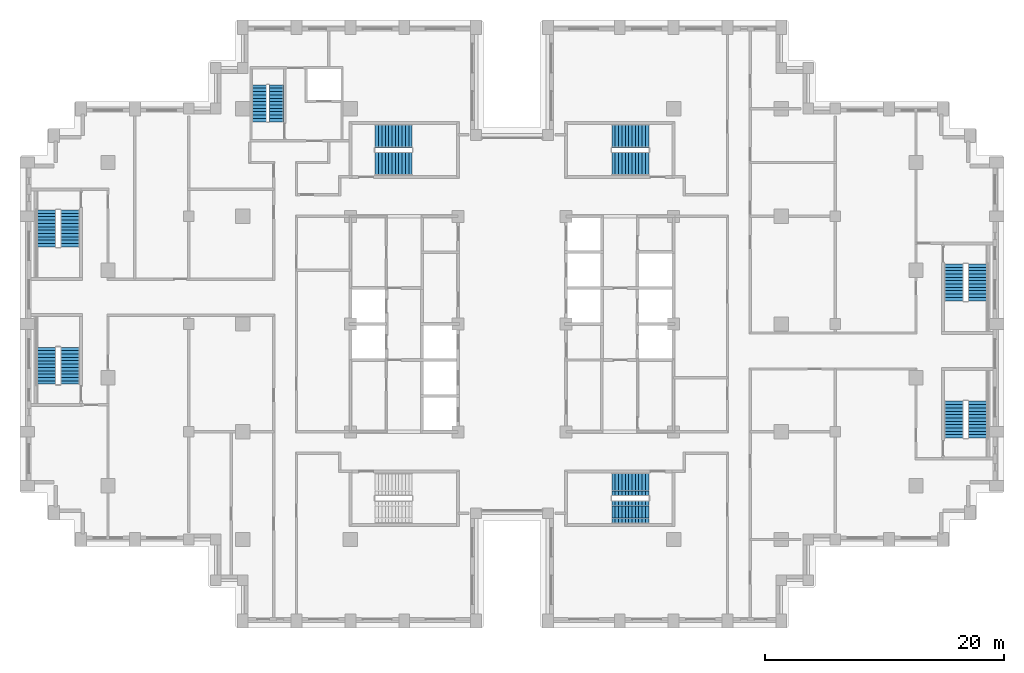
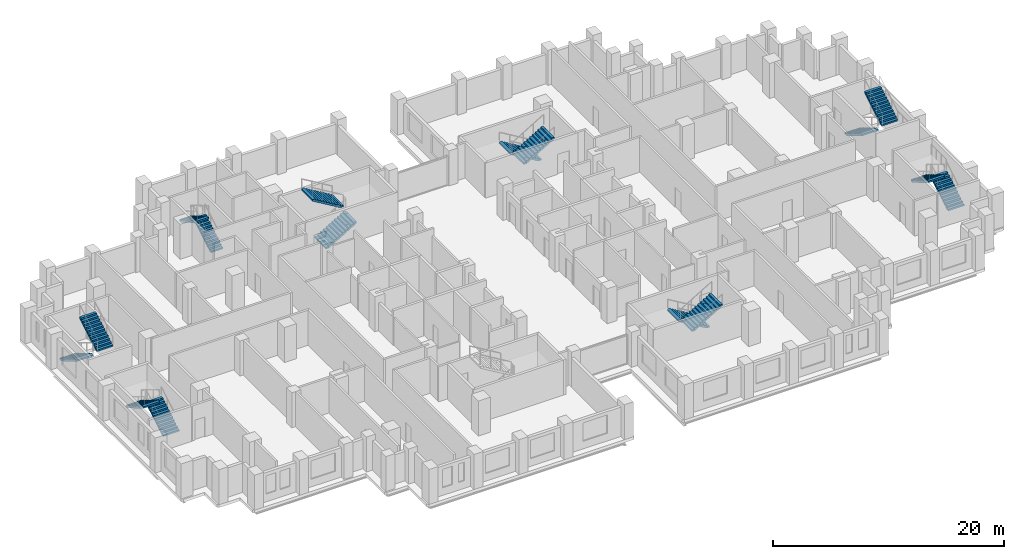
# One storey, part 13 of 15: 16 stair flights, 8 elements without a shape of their own.
"""IFC4 building model written with IfcOpenShell, lengths in metres."""

from ifc_helpers import new_model, si_unit, direction, frame, origin, place, context, subcontext, project, spatial, polyline, outline, extrude, material, type_object, element, aggregate, save


model = new_model("IFC4")

# Units and contexts
model_context = context("Model", 3, precision=1e-05, world=origin(), true_north=direction((0.0, 1.0)))
body_context = subcontext(model_context, "Body", "Model", "MODEL_VIEW")
ifc_project = project(units=[si_unit("LENGTHUNIT", "METRE"), si_unit("AREAUNIT", "SQUARE_METRE"), si_unit("VOLUMEUNIT", "CUBIC_METRE"), si_unit("PLANEANGLEUNIT", "RADIAN"), si_unit("MASSUNIT", "GRAM", prefix="KILO")], contexts=[model_context])

# Site, building, storey
site_placement = place(None, origin())
site = spatial("IfcSite", under=ifc_project, at=site_placement, CompositionType="ELEMENT")
building_placement = place(site_placement, origin())
building = spatial("IfcBuilding", under=site, at=building_placement, Name="Corbelhall Arena Tower", CompositionType="ELEMENT")
storey_placement = place(building_placement, frame((0.0, 0.0, 92.0)))
storey = spatial("IfcBuildingStorey", under=building, at=storey_placement, Name="L15", CompositionType="ELEMENT", Elevation=92.0)

# Stair, stair flights
ifc_material = material(Name="Concrete C40/50", Category="concrete")
stair_type = type_object("IfcStairType", Name="IN-ST-TOWER", PredefinedType="HALF_TURN_STAIR", material=ifc_material)
stair_1_placement = place(storey_placement, origin())
stair_1 = element("IfcStair", 1, at=stair_1_placement, inside=storey, type_object=stair_type, Name="L15 Exit stair ST1", PredefinedType="HALF_TURN_STAIR")
stair_flight_type = type_object("IfcStairFlightType", Name="IN-SFL-RC", PredefinedType="STRAIGHT", material=ifc_material)
stair_flight_1_placement = place(storey_placement, frame((-11.425048828125, 13.39990234375, 0.0), z_axis=(0.0, 0.0, 1.0), x_axis=(1.0, 0.0, 0.0)))
stair_flight_1 = element("IfcStairFlight", 2, at=stair_flight_1_placement, type_object=stair_flight_type, Name="ST1 flight 1", NumberOfRisers=12, NumberOfTreads=11, PredefinedType="STRAIGHT", RiserHeight=0.166666667, TreadLength=0.28, context=body_context, shape_type="SweptSolid", body=[
    extrude(outline(polyline([(0.0, 0.0), (0.0, 0.166748046875), (0.280029296875, 0.166748046875), (0.280029296875, 0.333251953125), (0.56005859375, 0.333251953125), (0.56005859375, 0.5), (0.840087890625, 0.5), (0.840087890625, 0.666748046875), (1.1201171875, 0.666748046875), (1.1201171875, 0.833251953125), (1.39990234375, 0.833251953125), (1.39990234375, 1.0), (1.679931640625, 1.0), (1.679931640625, 1.166748046875), (1.9599609375, 1.166748046875), (1.9599609375, 1.333251953125), (2.239990234375, 1.333251953125), (2.239990234375, 1.5), (2.52001953125, 1.5), (2.52001953125, 1.666748046875), (2.800048828125, 1.666748046875), (2.800048828125, 1.833251953125), (3.080078125, 1.833251953125), (3.080078125, 2.0), (3.080078125, 1.658935546875), (0.29296875, 0.0), (0.0, 0.0)])), frame((0.0, 0.97509765625, 0.0), z_axis=(0.0, -1.0, 0.0), x_axis=(1.0, 0.0, 0.0)), (0.0, 0.0, 1.0), 0.449951171875),
    extrude(outline(polyline([(0.0, 0.0), (0.0, 0.166748046875), (0.280029296875, 0.166748046875), (0.280029296875, 0.333251953125), (0.56005859375, 0.333251953125), (0.56005859375, 0.5), (0.840087890625, 0.5), (0.840087890625, 0.666748046875), (1.1201171875, 0.666748046875), (1.1201171875, 0.833251953125), (1.39990234375, 0.833251953125), (1.39990234375, 1.0), (1.679931640625, 1.0), (1.679931640625, 1.166748046875), (1.9599609375, 1.166748046875), (1.9599609375, 1.333251953125), (2.239990234375, 1.333251953125), (2.239990234375, 1.5), (2.52001953125, 1.5), (2.52001953125, 1.666748046875), (2.800048828125, 1.666748046875), (2.800048828125, 1.833251953125), (3.080078125, 1.833251953125), (3.080078125, 2.0), (3.080078125, 1.658935546875), (0.29296875, 0.0), (0.0, 0.0)])), frame((0.0, 0.52099609375, 0.0), z_axis=(0.0, -1.0, 0.0), x_axis=(1.0, 0.0, 0.0)), (0.0, 0.0, 1.0), 1.0419921875),
    extrude(outline(polyline([(0.0, 0.0), (0.0, 0.166748046875), (0.280029296875, 0.166748046875), (0.280029296875, 0.333251953125), (0.56005859375, 0.333251953125), (0.56005859375, 0.5), (0.840087890625, 0.5), (0.840087890625, 0.666748046875), (1.1201171875, 0.666748046875), (1.1201171875, 0.833251953125), (1.39990234375, 0.833251953125), (1.39990234375, 1.0), (1.679931640625, 1.0), (1.679931640625, 1.166748046875), (1.9599609375, 1.166748046875), (1.9599609375, 1.333251953125), (2.239990234375, 1.333251953125), (2.239990234375, 1.5), (2.52001953125, 1.5), (2.52001953125, 1.666748046875), (2.800048828125, 1.666748046875), (2.800048828125, 1.833251953125), (3.080078125, 1.833251953125), (3.080078125, 2.0), (3.080078125, 1.658935546875), (0.29296875, 0.0), (0.0, 0.0)])), frame((0.0, -0.52490234375, 0.0), z_axis=(0.0, -1.0, 0.0), x_axis=(1.0, 0.0, 0.0)), (0.0, 0.0, 1.0), 0.449951171875),
])
stair_flight_2_placement = place(storey_placement, frame((-8.344970703125, 15.699951171875, 2.0), z_axis=(0.0, 0.0, 1.0), x_axis=(-1.0, 0.0, 0.0)))
stair_flight_2 = element("IfcStairFlight", 3, at=stair_flight_2_placement, type_object=stair_flight_type, Name="ST1 flight 2", NumberOfRisers=12, NumberOfTreads=11, PredefinedType="STRAIGHT", RiserHeight=0.166666667, TreadLength=0.28, context=body_context, shape_type="SweptSolid", body=[
    extrude(outline(polyline([(0.0, 0.0), (0.0, 0.166748046875), (0.280029296875, 0.166748046875), (0.280029296875, 0.333251953125), (0.56005859375, 0.333251953125), (0.56005859375, 0.5), (0.840087890625, 0.5), (0.840087890625, 0.666748046875), (1.1201171875, 0.666748046875), (1.1201171875, 0.833251953125), (1.39990234375, 0.833251953125), (1.39990234375, 1.0), (1.679931640625, 1.0), (1.679931640625, 1.166748046875), (1.9599609375, 1.166748046875), (1.9599609375, 1.333251953125), (2.239990234375, 1.333251953125), (2.239990234375, 1.5), (2.52001953125, 1.5), (2.52001953125, 1.666748046875), (2.800048828125, 1.666748046875), (2.800048828125, 1.833251953125), (3.080078125, 1.833251953125), (3.080078125, 2.0), (3.080078125, 1.658935546875), (0.29296875, 0.0), (0.0, 0.0)])), frame((0.0, 0.97509765625, 0.0), z_axis=(0.0, -1.0, 0.0), x_axis=(1.0, 0.0, 0.0)), (0.0, 0.0, 1.0), 0.449951171875),
    extrude(outline(polyline([(0.0, 0.0), (0.0, 0.166748046875), (0.280029296875, 0.166748046875), (0.280029296875, 0.333251953125), (0.56005859375, 0.333251953125), (0.56005859375, 0.5), (0.840087890625, 0.5), (0.840087890625, 0.666748046875), (1.1201171875, 0.666748046875), (1.1201171875, 0.833251953125), (1.39990234375, 0.833251953125), (1.39990234375, 1.0), (1.679931640625, 1.0), (1.679931640625, 1.166748046875), (1.9599609375, 1.166748046875), (1.9599609375, 1.333251953125), (2.239990234375, 1.333251953125), (2.239990234375, 1.5), (2.52001953125, 1.5), (2.52001953125, 1.666748046875), (2.800048828125, 1.666748046875), (2.800048828125, 1.833251953125), (3.080078125, 1.833251953125), (3.080078125, 2.0), (3.080078125, 1.658935546875), (0.29296875, 0.0), (0.0, 0.0)])), frame((0.0, 0.52099609375, 0.0), z_axis=(0.0, -1.0, 0.0), x_axis=(1.0, 0.0, 0.0)), (0.0, 0.0, 1.0), 1.0419921875),
    extrude(outline(polyline([(0.0, 0.0), (0.0, 0.166748046875), (0.280029296875, 0.166748046875), (0.280029296875, 0.333251953125), (0.56005859375, 0.333251953125), (0.56005859375, 0.5), (0.840087890625, 0.5), (0.840087890625, 0.666748046875), (1.1201171875, 0.666748046875), (1.1201171875, 0.833251953125), (1.39990234375, 0.833251953125), (1.39990234375, 1.0), (1.679931640625, 1.0), (1.679931640625, 1.166748046875), (1.9599609375, 1.166748046875), (1.9599609375, 1.333251953125), (2.239990234375, 1.333251953125), (2.239990234375, 1.5), (2.52001953125, 1.5), (2.52001953125, 1.666748046875), (2.800048828125, 1.666748046875), (2.800048828125, 1.833251953125), (3.080078125, 1.833251953125), (3.080078125, 2.0), (3.080078125, 1.658935546875), (0.29296875, 0.0), (0.0, 0.0)])), frame((0.0, -0.52490234375, 0.0), z_axis=(0.0, -1.0, 0.0), x_axis=(1.0, 0.0, 0.0)), (0.0, 0.0, 1.0), 0.449951171875),
])
aggregate(stair_1, [stair_flight_1, stair_flight_2])

stair_2_placement = place(storey_placement, origin())
stair_2 = element("IfcStair", 4, at=stair_2_placement, inside=storey, type_object=stair_type, Name="L15 Exit stair ST3", PredefinedType="HALF_TURN_STAIR")
stair_flight_3_placement = place(storey_placement, frame((11.425048828125, 15.699951171875, 0.0), z_axis=(0.0, 0.0, 1.0), x_axis=(-1.0, 0.0, 0.0)))
stair_flight_3 = element("IfcStairFlight", 5, at=stair_flight_3_placement, type_object=stair_flight_type, Name="ST3 flight 1", NumberOfRisers=12, NumberOfTreads=11, PredefinedType="STRAIGHT", RiserHeight=0.166666667, TreadLength=0.28, context=body_context, shape_type="SweptSolid", body=[
    extrude(outline(polyline([(0.0, 0.0), (0.0, 0.166748046875), (0.280029296875, 0.166748046875), (0.280029296875, 0.333251953125), (0.56005859375, 0.333251953125), (0.56005859375, 0.5), (0.840087890625, 0.5), (0.840087890625, 0.666748046875), (1.1201171875, 0.666748046875), (1.1201171875, 0.833251953125), (1.39990234375, 0.833251953125), (1.39990234375, 1.0), (1.679931640625, 1.0), (1.679931640625, 1.166748046875), (1.9599609375, 1.166748046875), (1.9599609375, 1.333251953125), (2.239990234375, 1.333251953125), (2.239990234375, 1.5), (2.52001953125, 1.5), (2.52001953125, 1.666748046875), (2.800048828125, 1.666748046875), (2.800048828125, 1.833251953125), (3.080078125, 1.833251953125), (3.080078125, 2.0), (3.080078125, 1.658935546875), (0.29296875, 0.0), (0.0, 0.0)])), frame((0.0, 0.97509765625, 0.0), z_axis=(0.0, -1.0, 0.0), x_axis=(1.0, 0.0, 0.0)), (0.0, 0.0, 1.0), 0.449951171875),
    extrude(outline(polyline([(0.0, 0.0), (0.0, 0.166748046875), (0.280029296875, 0.166748046875), (0.280029296875, 0.333251953125), (0.56005859375, 0.333251953125), (0.56005859375, 0.5), (0.840087890625, 0.5), (0.840087890625, 0.666748046875), (1.1201171875, 0.666748046875), (1.1201171875, 0.833251953125), (1.39990234375, 0.833251953125), (1.39990234375, 1.0), (1.679931640625, 1.0), (1.679931640625, 1.166748046875), (1.9599609375, 1.166748046875), (1.9599609375, 1.333251953125), (2.239990234375, 1.333251953125), (2.239990234375, 1.5), (2.52001953125, 1.5), (2.52001953125, 1.666748046875), (2.800048828125, 1.666748046875), (2.800048828125, 1.833251953125), (3.080078125, 1.833251953125), (3.080078125, 2.0), (3.080078125, 1.658935546875), (0.29296875, 0.0), (0.0, 0.0)])), frame((0.0, 0.52099609375, 0.0), z_axis=(0.0, -1.0, 0.0), x_axis=(1.0, 0.0, 0.0)), (0.0, 0.0, 1.0), 1.0419921875),
    extrude(outline(polyline([(0.0, 0.0), (0.0, 0.166748046875), (0.280029296875, 0.166748046875), (0.280029296875, 0.333251953125), (0.56005859375, 0.333251953125), (0.56005859375, 0.5), (0.840087890625, 0.5), (0.840087890625, 0.666748046875), (1.1201171875, 0.666748046875), (1.1201171875, 0.833251953125), (1.39990234375, 0.833251953125), (1.39990234375, 1.0), (1.679931640625, 1.0), (1.679931640625, 1.166748046875), (1.9599609375, 1.166748046875), (1.9599609375, 1.333251953125), (2.239990234375, 1.333251953125), (2.239990234375, 1.5), (2.52001953125, 1.5), (2.52001953125, 1.666748046875), (2.800048828125, 1.666748046875), (2.800048828125, 1.833251953125), (3.080078125, 1.833251953125), (3.080078125, 2.0), (3.080078125, 1.658935546875), (0.29296875, 0.0), (0.0, 0.0)])), frame((0.0, -0.52490234375, 0.0), z_axis=(0.0, -1.0, 0.0), x_axis=(1.0, 0.0, 0.0)), (0.0, 0.0, 1.0), 0.449951171875),
])
stair_flight_4_placement = place(storey_placement, frame((8.344970703125, 13.39990234375, 2.0), z_axis=(0.0, 0.0, 1.0), x_axis=(1.0, 0.0, 0.0)))
stair_flight_4 = element("IfcStairFlight", 6, at=stair_flight_4_placement, type_object=stair_flight_type, Name="ST3 flight 2", NumberOfRisers=12, NumberOfTreads=11, PredefinedType="STRAIGHT", RiserHeight=0.166666667, TreadLength=0.28, context=body_context, shape_type="SweptSolid", body=[
    extrude(outline(polyline([(0.0, 0.0), (0.0, 0.166748046875), (0.280029296875, 0.166748046875), (0.280029296875, 0.333251953125), (0.56005859375, 0.333251953125), (0.56005859375, 0.5), (0.840087890625, 0.5), (0.840087890625, 0.666748046875), (1.1201171875, 0.666748046875), (1.1201171875, 0.833251953125), (1.39990234375, 0.833251953125), (1.39990234375, 1.0), (1.679931640625, 1.0), (1.679931640625, 1.166748046875), (1.9599609375, 1.166748046875), (1.9599609375, 1.333251953125), (2.239990234375, 1.333251953125), (2.239990234375, 1.5), (2.52001953125, 1.5), (2.52001953125, 1.666748046875), (2.800048828125, 1.666748046875), (2.800048828125, 1.833251953125), (3.080078125, 1.833251953125), (3.080078125, 2.0), (3.080078125, 1.658935546875), (0.29296875, 0.0), (0.0, 0.0)])), frame((0.0, 0.97509765625, 0.0), z_axis=(0.0, -1.0, 0.0), x_axis=(1.0, 0.0, 0.0)), (0.0, 0.0, 1.0), 0.449951171875),
    extrude(outline(polyline([(0.0, 0.0), (0.0, 0.166748046875), (0.280029296875, 0.166748046875), (0.280029296875, 0.333251953125), (0.56005859375, 0.333251953125), (0.56005859375, 0.5), (0.840087890625, 0.5), (0.840087890625, 0.666748046875), (1.1201171875, 0.666748046875), (1.1201171875, 0.833251953125), (1.39990234375, 0.833251953125), (1.39990234375, 1.0), (1.679931640625, 1.0), (1.679931640625, 1.166748046875), (1.9599609375, 1.166748046875), (1.9599609375, 1.333251953125), (2.239990234375, 1.333251953125), (2.239990234375, 1.5), (2.52001953125, 1.5), (2.52001953125, 1.666748046875), (2.800048828125, 1.666748046875), (2.800048828125, 1.833251953125), (3.080078125, 1.833251953125), (3.080078125, 2.0), (3.080078125, 1.658935546875), (0.29296875, 0.0), (0.0, 0.0)])), frame((0.0, 0.52099609375, 0.0), z_axis=(0.0, -1.0, 0.0), x_axis=(1.0, 0.0, 0.0)), (0.0, 0.0, 1.0), 1.0419921875),
    extrude(outline(polyline([(0.0, 0.0), (0.0, 0.166748046875), (0.280029296875, 0.166748046875), (0.280029296875, 0.333251953125), (0.56005859375, 0.333251953125), (0.56005859375, 0.5), (0.840087890625, 0.5), (0.840087890625, 0.666748046875), (1.1201171875, 0.666748046875), (1.1201171875, 0.833251953125), (1.39990234375, 0.833251953125), (1.39990234375, 1.0), (1.679931640625, 1.0), (1.679931640625, 1.166748046875), (1.9599609375, 1.166748046875), (1.9599609375, 1.333251953125), (2.239990234375, 1.333251953125), (2.239990234375, 1.5), (2.52001953125, 1.5), (2.52001953125, 1.666748046875), (2.800048828125, 1.666748046875), (2.800048828125, 1.833251953125), (3.080078125, 1.833251953125), (3.080078125, 2.0), (3.080078125, 1.658935546875), (0.29296875, 0.0), (0.0, 0.0)])), frame((0.0, -0.52490234375, 0.0), z_axis=(0.0, -1.0, 0.0), x_axis=(1.0, 0.0, 0.0)), (0.0, 0.0, 1.0), 0.449951171875),
])
aggregate(stair_2, [stair_flight_3, stair_flight_4])

stair_3_placement = place(storey_placement, origin())
stair_3 = element("IfcStair", 7, at=stair_3_placement, inside=storey, type_object=stair_type, Name="L15 Exit stair ST4", PredefinedType="HALF_TURN_STAIR")
stair_flight_5_placement = place(storey_placement, frame((11.425048828125, -13.39990234375, 0.0), z_axis=(0.0, 0.0, 1.0), x_axis=(-1.0, 0.0, 0.0)))
stair_flight_5 = element("IfcStairFlight", 8, at=stair_flight_5_placement, type_object=stair_flight_type, Name="ST4 flight 1", NumberOfRisers=12, NumberOfTreads=11, PredefinedType="STRAIGHT", RiserHeight=0.166666667, TreadLength=0.28, context=body_context, shape_type="SweptSolid", body=[
    extrude(outline(polyline([(0.0, 0.0), (0.0, 0.166748046875), (0.280029296875, 0.166748046875), (0.280029296875, 0.333251953125), (0.56005859375, 0.333251953125), (0.56005859375, 0.5), (0.840087890625, 0.5), (0.840087890625, 0.666748046875), (1.1201171875, 0.666748046875), (1.1201171875, 0.833251953125), (1.39990234375, 0.833251953125), (1.39990234375, 1.0), (1.679931640625, 1.0), (1.679931640625, 1.166748046875), (1.9599609375, 1.166748046875), (1.9599609375, 1.333251953125), (2.239990234375, 1.333251953125), (2.239990234375, 1.5), (2.52001953125, 1.5), (2.52001953125, 1.666748046875), (2.800048828125, 1.666748046875), (2.800048828125, 1.833251953125), (3.080078125, 1.833251953125), (3.080078125, 2.0), (3.080078125, 1.658935546875), (0.29296875, 0.0), (0.0, 0.0)])), frame((0.0, 0.97509765625, 0.0), z_axis=(0.0, -1.0, 0.0), x_axis=(1.0, 0.0, 0.0)), (0.0, 0.0, 1.0), 0.449951171875),
    extrude(outline(polyline([(0.0, 0.0), (0.0, 0.166748046875), (0.280029296875, 0.166748046875), (0.280029296875, 0.333251953125), (0.56005859375, 0.333251953125), (0.56005859375, 0.5), (0.840087890625, 0.5), (0.840087890625, 0.666748046875), (1.1201171875, 0.666748046875), (1.1201171875, 0.833251953125), (1.39990234375, 0.833251953125), (1.39990234375, 1.0), (1.679931640625, 1.0), (1.679931640625, 1.166748046875), (1.9599609375, 1.166748046875), (1.9599609375, 1.333251953125), (2.239990234375, 1.333251953125), (2.239990234375, 1.5), (2.52001953125, 1.5), (2.52001953125, 1.666748046875), (2.800048828125, 1.666748046875), (2.800048828125, 1.833251953125), (3.080078125, 1.833251953125), (3.080078125, 2.0), (3.080078125, 1.658935546875), (0.29296875, 0.0), (0.0, 0.0)])), frame((0.0, 0.52099609375, 0.0), z_axis=(0.0, -1.0, 0.0), x_axis=(1.0, 0.0, 0.0)), (0.0, 0.0, 1.0), 1.0419921875),
    extrude(outline(polyline([(0.0, 0.0), (0.0, 0.166748046875), (0.280029296875, 0.166748046875), (0.280029296875, 0.333251953125), (0.56005859375, 0.333251953125), (0.56005859375, 0.5), (0.840087890625, 0.5), (0.840087890625, 0.666748046875), (1.1201171875, 0.666748046875), (1.1201171875, 0.833251953125), (1.39990234375, 0.833251953125), (1.39990234375, 1.0), (1.679931640625, 1.0), (1.679931640625, 1.166748046875), (1.9599609375, 1.166748046875), (1.9599609375, 1.333251953125), (2.239990234375, 1.333251953125), (2.239990234375, 1.5), (2.52001953125, 1.5), (2.52001953125, 1.666748046875), (2.800048828125, 1.666748046875), (2.800048828125, 1.833251953125), (3.080078125, 1.833251953125), (3.080078125, 2.0), (3.080078125, 1.658935546875), (0.29296875, 0.0), (0.0, 0.0)])), frame((0.0, -0.52490234375, 0.0), z_axis=(0.0, -1.0, 0.0), x_axis=(1.0, 0.0, 0.0)), (0.0, 0.0, 1.0), 0.449951171875),
])
stair_flight_6_placement = place(storey_placement, frame((8.344970703125, -15.699951171875, 2.0), z_axis=(0.0, 0.0, 1.0), x_axis=(1.0, 0.0, 0.0)))
stair_flight_6 = element("IfcStairFlight", 9, at=stair_flight_6_placement, type_object=stair_flight_type, Name="ST4 flight 2", NumberOfRisers=12, NumberOfTreads=11, PredefinedType="STRAIGHT", RiserHeight=0.166666667, TreadLength=0.28, context=body_context, shape_type="SweptSolid", body=[
    extrude(outline(polyline([(0.0, 0.0), (0.0, 0.166748046875), (0.280029296875, 0.166748046875), (0.280029296875, 0.333251953125), (0.56005859375, 0.333251953125), (0.56005859375, 0.5), (0.840087890625, 0.5), (0.840087890625, 0.666748046875), (1.1201171875, 0.666748046875), (1.1201171875, 0.833251953125), (1.39990234375, 0.833251953125), (1.39990234375, 1.0), (1.679931640625, 1.0), (1.679931640625, 1.166748046875), (1.9599609375, 1.166748046875), (1.9599609375, 1.333251953125), (2.239990234375, 1.333251953125), (2.239990234375, 1.5), (2.52001953125, 1.5), (2.52001953125, 1.666748046875), (2.800048828125, 1.666748046875), (2.800048828125, 1.833251953125), (3.080078125, 1.833251953125), (3.080078125, 2.0), (3.080078125, 1.658935546875), (0.29296875, 0.0), (0.0, 0.0)])), frame((0.0, 0.97509765625, 0.0), z_axis=(0.0, -1.0, 0.0), x_axis=(1.0, 0.0, 0.0)), (0.0, 0.0, 1.0), 0.449951171875),
    extrude(outline(polyline([(0.0, 0.0), (0.0, 0.166748046875), (0.280029296875, 0.166748046875), (0.280029296875, 0.333251953125), (0.56005859375, 0.333251953125), (0.56005859375, 0.5), (0.840087890625, 0.5), (0.840087890625, 0.666748046875), (1.1201171875, 0.666748046875), (1.1201171875, 0.833251953125), (1.39990234375, 0.833251953125), (1.39990234375, 1.0), (1.679931640625, 1.0), (1.679931640625, 1.166748046875), (1.9599609375, 1.166748046875), (1.9599609375, 1.333251953125), (2.239990234375, 1.333251953125), (2.239990234375, 1.5), (2.52001953125, 1.5), (2.52001953125, 1.666748046875), (2.800048828125, 1.666748046875), (2.800048828125, 1.833251953125), (3.080078125, 1.833251953125), (3.080078125, 2.0), (3.080078125, 1.658935546875), (0.29296875, 0.0), (0.0, 0.0)])), frame((0.0, 0.52099609375, 0.0), z_axis=(0.0, -1.0, 0.0), x_axis=(1.0, 0.0, 0.0)), (0.0, 0.0, 1.0), 1.0419921875),
    extrude(outline(polyline([(0.0, 0.0), (0.0, 0.166748046875), (0.280029296875, 0.166748046875), (0.280029296875, 0.333251953125), (0.56005859375, 0.333251953125), (0.56005859375, 0.5), (0.840087890625, 0.5), (0.840087890625, 0.666748046875), (1.1201171875, 0.666748046875), (1.1201171875, 0.833251953125), (1.39990234375, 0.833251953125), (1.39990234375, 1.0), (1.679931640625, 1.0), (1.679931640625, 1.166748046875), (1.9599609375, 1.166748046875), (1.9599609375, 1.333251953125), (2.239990234375, 1.333251953125), (2.239990234375, 1.5), (2.52001953125, 1.5), (2.52001953125, 1.666748046875), (2.800048828125, 1.666748046875), (2.800048828125, 1.833251953125), (3.080078125, 1.833251953125), (3.080078125, 2.0), (3.080078125, 1.658935546875), (0.29296875, 0.0), (0.0, 0.0)])), frame((0.0, -0.52490234375, 0.0), z_axis=(0.0, -1.0, 0.0), x_axis=(1.0, 0.0, 0.0)), (0.0, 0.0, 1.0), 0.449951171875),
])
aggregate(stair_3, [stair_flight_5, stair_flight_6])

stair_4_placement = place(storey_placement, origin())
stair_4 = element("IfcStair", 10, at=stair_4_placement, inside=storey, type_object=stair_type, Name="L15 Exit stair SC1", PredefinedType="HALF_TURN_STAIR")
stair_flight_7_placement = place(storey_placement, frame((-38.89990234375, 9.52490234375, 0.0), z_axis=(0.0, 0.0, 1.0), x_axis=(0.0, -1.0, 0.0)))
stair_flight_7 = element("IfcStairFlight", 11, at=stair_flight_7_placement, type_object=stair_flight_type, Name="SC1 flight 1", NumberOfRisers=12, NumberOfTreads=11, PredefinedType="STRAIGHT", RiserHeight=0.166666667, TreadLength=0.28, context=body_context, shape_type="SweptSolid", body=[
    extrude(outline(polyline([(0.0, 0.0), (0.0, 0.166748046875), (0.280029296875, 0.166748046875), (0.280029296875, 0.333251953125), (0.56005859375, 0.333251953125), (0.56005859375, 0.5), (0.840087890625, 0.5), (0.840087890625, 0.666748046875), (1.1201171875, 0.666748046875), (1.1201171875, 0.833251953125), (1.39990234375, 0.833251953125), (1.39990234375, 1.0), (1.679931640625, 1.0), (1.679931640625, 1.166748046875), (1.9599609375, 1.166748046875), (1.9599609375, 1.333251953125), (2.239990234375, 1.333251953125), (2.239990234375, 1.5), (2.52001953125, 1.5), (2.52001953125, 1.666748046875), (2.800048828125, 1.666748046875), (2.800048828125, 1.833251953125), (3.080078125, 1.833251953125), (3.080078125, 2.0), (3.080078125, 1.658935546875), (0.29296875, 0.0), (0.0, 0.0)])), frame((0.0, 0.800048828125, 0.0), z_axis=(0.0, -1.0, 0.0), x_axis=(1.0, 0.0, 0.0)), (0.0, 0.0, 1.0), 1.60009765625),
])
stair_flight_8_placement = place(storey_placement, frame((-36.925048828125, 6.445068359375, 2.0), z_axis=(0.0, 0.0, 1.0), x_axis=(0.0, 1.0, 0.0)))
stair_flight_8 = element("IfcStairFlight", 12, at=stair_flight_8_placement, type_object=stair_flight_type, Name="SC1 flight 2", NumberOfRisers=12, NumberOfTreads=11, PredefinedType="STRAIGHT", RiserHeight=0.166666667, TreadLength=0.28, context=body_context, shape_type="SweptSolid", body=[
    extrude(outline(polyline([(0.0, 0.0), (0.0, 0.166748046875), (0.280029296875, 0.166748046875), (0.280029296875, 0.333251953125), (0.56005859375, 0.333251953125), (0.56005859375, 0.5), (0.840087890625, 0.5), (0.840087890625, 0.666748046875), (1.1201171875, 0.666748046875), (1.1201171875, 0.833251953125), (1.39990234375, 0.833251953125), (1.39990234375, 1.0), (1.679931640625, 1.0), (1.679931640625, 1.166748046875), (1.9599609375, 1.166748046875), (1.9599609375, 1.333251953125), (2.239990234375, 1.333251953125), (2.239990234375, 1.5), (2.52001953125, 1.5), (2.52001953125, 1.666748046875), (2.800048828125, 1.666748046875), (2.800048828125, 1.833251953125), (3.080078125, 1.833251953125), (3.080078125, 2.0), (3.080078125, 1.658935546875), (0.29296875, 0.0), (0.0, 0.0)])), frame((0.0, 0.800048828125, 0.0), z_axis=(0.0, -1.0, 0.0), x_axis=(1.0, 0.0, 0.0)), (0.0, 0.0, 1.0), 1.60009765625),
])
aggregate(stair_4, [stair_flight_7, stair_flight_8])

stair_5_placement = place(storey_placement, origin())
stair_5 = element("IfcStair", 13, at=stair_5_placement, inside=storey, type_object=stair_type, Name="L15 Exit stair SC2", PredefinedType="HALF_TURN_STAIR")
stair_flight_9_placement = place(storey_placement, frame((-36.925048828125, -5.02490234375, 0.0), z_axis=(0.0, 0.0, 1.0), x_axis=(0.0, 1.0, 0.0)))
stair_flight_9 = element("IfcStairFlight", 14, at=stair_flight_9_placement, type_object=stair_flight_type, Name="SC2 flight 1", NumberOfRisers=12, NumberOfTreads=11, PredefinedType="STRAIGHT", RiserHeight=0.166666667, TreadLength=0.28, context=body_context, shape_type="SweptSolid", body=[
    extrude(outline(polyline([(0.0, 0.0), (0.0, 0.166748046875), (0.280029296875, 0.166748046875), (0.280029296875, 0.333251953125), (0.56005859375, 0.333251953125), (0.56005859375, 0.5), (0.840087890625, 0.5), (0.840087890625, 0.666748046875), (1.1201171875, 0.666748046875), (1.1201171875, 0.833251953125), (1.39990234375, 0.833251953125), (1.39990234375, 1.0), (1.679931640625, 1.0), (1.679931640625, 1.166748046875), (1.9599609375, 1.166748046875), (1.9599609375, 1.333251953125), (2.239990234375, 1.333251953125), (2.239990234375, 1.5), (2.52001953125, 1.5), (2.52001953125, 1.666748046875), (2.800048828125, 1.666748046875), (2.800048828125, 1.833251953125), (3.080078125, 1.833251953125), (3.080078125, 2.0), (3.080078125, 1.658935546875), (0.29296875, 0.0), (0.0, 0.0)])), frame((0.0, 0.800048828125, 0.0), z_axis=(0.0, -1.0, 0.0), x_axis=(1.0, 0.0, 0.0)), (0.0, 0.0, 1.0), 1.60009765625),
])
stair_flight_10_placement = place(storey_placement, frame((-38.89990234375, -1.945068359375, 2.0), z_axis=(0.0, 0.0, 1.0), x_axis=(0.0, -1.0, 0.0)))
stair_flight_10 = element("IfcStairFlight", 15, at=stair_flight_10_placement, type_object=stair_flight_type, Name="SC2 flight 2", NumberOfRisers=12, NumberOfTreads=11, PredefinedType="STRAIGHT", RiserHeight=0.166666667, TreadLength=0.28, context=body_context, shape_type="SweptSolid", body=[
    extrude(outline(polyline([(0.0, 0.0), (0.0, 0.166748046875), (0.280029296875, 0.166748046875), (0.280029296875, 0.333251953125), (0.56005859375, 0.333251953125), (0.56005859375, 0.5), (0.840087890625, 0.5), (0.840087890625, 0.666748046875), (1.1201171875, 0.666748046875), (1.1201171875, 0.833251953125), (1.39990234375, 0.833251953125), (1.39990234375, 1.0), (1.679931640625, 1.0), (1.679931640625, 1.166748046875), (1.9599609375, 1.166748046875), (1.9599609375, 1.333251953125), (2.239990234375, 1.333251953125), (2.239990234375, 1.5), (2.52001953125, 1.5), (2.52001953125, 1.666748046875), (2.800048828125, 1.666748046875), (2.800048828125, 1.833251953125), (3.080078125, 1.833251953125), (3.080078125, 2.0), (3.080078125, 1.658935546875), (0.29296875, 0.0), (0.0, 0.0)])), frame((0.0, 0.800048828125, 0.0), z_axis=(0.0, -1.0, 0.0), x_axis=(1.0, 0.0, 0.0)), (0.0, 0.0, 1.0), 1.60009765625),
])
aggregate(stair_5, [stair_flight_9, stair_flight_10])

stair_6_placement = place(storey_placement, origin())
stair_6 = element("IfcStair", 16, at=stair_6_placement, inside=storey, type_object=stair_type, Name="L15 Exit stair SD1", PredefinedType="HALF_TURN_STAIR")
stair_flight_11_placement = place(storey_placement, frame((38.89990234375, -9.52490234375, 0.0), z_axis=(0.0, 0.0, 1.0), x_axis=(0.0, 1.0, 0.0)))
stair_flight_11 = element("IfcStairFlight", 17, at=stair_flight_11_placement, type_object=stair_flight_type, Name="SD1 flight 1", NumberOfRisers=12, NumberOfTreads=11, PredefinedType="STRAIGHT", RiserHeight=0.166666667, TreadLength=0.28, context=body_context, shape_type="SweptSolid", body=[
    extrude(outline(polyline([(0.0, 0.0), (0.0, 0.166748046875), (0.280029296875, 0.166748046875), (0.280029296875, 0.333251953125), (0.56005859375, 0.333251953125), (0.56005859375, 0.5), (0.840087890625, 0.5), (0.840087890625, 0.666748046875), (1.1201171875, 0.666748046875), (1.1201171875, 0.833251953125), (1.39990234375, 0.833251953125), (1.39990234375, 1.0), (1.679931640625, 1.0), (1.679931640625, 1.166748046875), (1.9599609375, 1.166748046875), (1.9599609375, 1.333251953125), (2.239990234375, 1.333251953125), (2.239990234375, 1.5), (2.52001953125, 1.5), (2.52001953125, 1.666748046875), (2.800048828125, 1.666748046875), (2.800048828125, 1.833251953125), (3.080078125, 1.833251953125), (3.080078125, 2.0), (3.080078125, 1.658935546875), (0.29296875, 0.0), (0.0, 0.0)])), frame((0.0, 0.800048828125, 0.0), z_axis=(0.0, -1.0, 0.0), x_axis=(1.0, 0.0, 0.0)), (0.0, 0.0, 1.0), 1.60009765625),
])
stair_flight_12_placement = place(storey_placement, frame((36.925048828125, -6.445068359375, 2.0), z_axis=(0.0, 0.0, 1.0), x_axis=(0.0, -1.0, 0.0)))
stair_flight_12 = element("IfcStairFlight", 18, at=stair_flight_12_placement, type_object=stair_flight_type, Name="SD1 flight 2", NumberOfRisers=12, NumberOfTreads=11, PredefinedType="STRAIGHT", RiserHeight=0.166666667, TreadLength=0.28, context=body_context, shape_type="SweptSolid", body=[
    extrude(outline(polyline([(0.0, 0.0), (0.0, 0.166748046875), (0.280029296875, 0.166748046875), (0.280029296875, 0.333251953125), (0.56005859375, 0.333251953125), (0.56005859375, 0.5), (0.840087890625, 0.5), (0.840087890625, 0.666748046875), (1.1201171875, 0.666748046875), (1.1201171875, 0.833251953125), (1.39990234375, 0.833251953125), (1.39990234375, 1.0), (1.679931640625, 1.0), (1.679931640625, 1.166748046875), (1.9599609375, 1.166748046875), (1.9599609375, 1.333251953125), (2.239990234375, 1.333251953125), (2.239990234375, 1.5), (2.52001953125, 1.5), (2.52001953125, 1.666748046875), (2.800048828125, 1.666748046875), (2.800048828125, 1.833251953125), (3.080078125, 1.833251953125), (3.080078125, 2.0), (3.080078125, 1.658935546875), (0.29296875, 0.0), (0.0, 0.0)])), frame((0.0, 0.800048828125, 0.0), z_axis=(0.0, -1.0, 0.0), x_axis=(1.0, 0.0, 0.0)), (0.0, 0.0, 1.0), 1.60009765625),
])
aggregate(stair_6, [stair_flight_11, stair_flight_12])

stair_7_placement = place(storey_placement, origin())
stair_7 = element("IfcStair", 19, at=stair_7_placement, inside=storey, type_object=stair_type, Name="L15 Exit stair SD2", PredefinedType="HALF_TURN_STAIR")
stair_flight_13_placement = place(storey_placement, frame((36.925048828125, 5.02490234375, 0.0), z_axis=(0.0, 0.0, 1.0), x_axis=(0.0, -1.0, 0.0)))
stair_flight_13 = element("IfcStairFlight", 20, at=stair_flight_13_placement, type_object=stair_flight_type, Name="SD2 flight 1", NumberOfRisers=12, NumberOfTreads=11, PredefinedType="STRAIGHT", RiserHeight=0.166666667, TreadLength=0.28, context=body_context, shape_type="SweptSolid", body=[
    extrude(outline(polyline([(0.0, 0.0), (0.0, 0.166748046875), (0.280029296875, 0.166748046875), (0.280029296875, 0.333251953125), (0.56005859375, 0.333251953125), (0.56005859375, 0.5), (0.840087890625, 0.5), (0.840087890625, 0.666748046875), (1.1201171875, 0.666748046875), (1.1201171875, 0.833251953125), (1.39990234375, 0.833251953125), (1.39990234375, 1.0), (1.679931640625, 1.0), (1.679931640625, 1.166748046875), (1.9599609375, 1.166748046875), (1.9599609375, 1.333251953125), (2.239990234375, 1.333251953125), (2.239990234375, 1.5), (2.52001953125, 1.5), (2.52001953125, 1.666748046875), (2.800048828125, 1.666748046875), (2.800048828125, 1.833251953125), (3.080078125, 1.833251953125), (3.080078125, 2.0), (3.080078125, 1.658935546875), (0.29296875, 0.0), (0.0, 0.0)])), frame((0.0, 0.800048828125, 0.0), z_axis=(0.0, -1.0, 0.0), x_axis=(1.0, 0.0, 0.0)), (0.0, 0.0, 1.0), 1.60009765625),
])
stair_flight_14_placement = place(storey_placement, frame((38.89990234375, 1.945068359375, 2.0), z_axis=(0.0, 0.0, 1.0), x_axis=(0.0, 1.0, 0.0)))
stair_flight_14 = element("IfcStairFlight", 21, at=stair_flight_14_placement, type_object=stair_flight_type, Name="SD2 flight 2", NumberOfRisers=12, NumberOfTreads=11, PredefinedType="STRAIGHT", RiserHeight=0.166666667, TreadLength=0.28, context=body_context, shape_type="SweptSolid", body=[
    extrude(outline(polyline([(0.0, 0.0), (0.0, 0.166748046875), (0.280029296875, 0.166748046875), (0.280029296875, 0.333251953125), (0.56005859375, 0.333251953125), (0.56005859375, 0.5), (0.840087890625, 0.5), (0.840087890625, 0.666748046875), (1.1201171875, 0.666748046875), (1.1201171875, 0.833251953125), (1.39990234375, 0.833251953125), (1.39990234375, 1.0), (1.679931640625, 1.0), (1.679931640625, 1.166748046875), (1.9599609375, 1.166748046875), (1.9599609375, 1.333251953125), (2.239990234375, 1.333251953125), (2.239990234375, 1.5), (2.52001953125, 1.5), (2.52001953125, 1.666748046875), (2.800048828125, 1.666748046875), (2.800048828125, 1.833251953125), (3.080078125, 1.833251953125), (3.080078125, 2.0), (3.080078125, 1.658935546875), (0.29296875, 0.0), (0.0, 0.0)])), frame((0.0, 0.800048828125, 0.0), z_axis=(0.0, -1.0, 0.0), x_axis=(1.0, 0.0, 0.0)), (0.0, 0.0, 1.0), 1.60009765625),
])
aggregate(stair_7, [stair_flight_13, stair_flight_14])

stair_8_placement = place(storey_placement, origin())
stair_8 = element("IfcStair", 22, at=stair_8_placement, inside=storey, type_object=stair_type, Name="L15 Exit stair ST5", PredefinedType="HALF_TURN_STAIR")
stair_flight_15_placement = place(storey_placement, frame((-19.695068359375, 16.89990234375, 0.0), z_axis=(0.0, 0.0, 1.0), x_axis=(0.0, 1.0, 0.0)))
stair_flight_15 = element("IfcStairFlight", 23, at=stair_flight_15_placement, type_object=stair_flight_type, Name="ST5 flight 1", NumberOfRisers=12, NumberOfTreads=11, PredefinedType="STRAIGHT", RiserHeight=0.166666667, TreadLength=0.28, context=body_context, shape_type="SweptSolid", body=[
    extrude(outline(polyline([(0.0, 0.0), (0.0, 0.166748046875), (0.280029296875, 0.166748046875), (0.280029296875, 0.333251953125), (0.56005859375, 0.333251953125), (0.56005859375, 0.5), (0.840087890625, 0.5), (0.840087890625, 0.666748046875), (1.1201171875, 0.666748046875), (1.1201171875, 0.833251953125), (1.39990234375, 0.833251953125), (1.39990234375, 1.0), (1.679931640625, 1.0), (1.679931640625, 1.166748046875), (1.9599609375, 1.166748046875), (1.9599609375, 1.333251953125), (2.239990234375, 1.333251953125), (2.239990234375, 1.5), (2.52001953125, 1.5), (2.52001953125, 1.666748046875), (2.800048828125, 1.666748046875), (2.800048828125, 1.833251953125), (3.080078125, 1.833251953125), (3.080078125, 2.0), (3.080078125, 1.658935546875), (0.29296875, 0.0), (0.0, 0.0)])), frame((0.0, 0.60009765625, 0.0), z_axis=(0.0, -1.0, 0.0), x_axis=(1.0, 0.0, 0.0)), (0.0, 0.0, 1.0), 1.199951171875),
])
stair_flight_16_placement = place(storey_placement, frame((-21.094970703125, 19.97998046875, 2.0), z_axis=(0.0, 0.0, 1.0), x_axis=(0.0, -1.0, 0.0)))
stair_flight_16 = element("IfcStairFlight", 24, at=stair_flight_16_placement, type_object=stair_flight_type, Name="ST5 flight 2", NumberOfRisers=12, NumberOfTreads=11, PredefinedType="STRAIGHT", RiserHeight=0.166666667, TreadLength=0.28, context=body_context, shape_type="SweptSolid", body=[
    extrude(outline(polyline([(0.0, 0.0), (0.0, 0.166748046875), (0.280029296875, 0.166748046875), (0.280029296875, 0.333251953125), (0.56005859375, 0.333251953125), (0.56005859375, 0.5), (0.840087890625, 0.5), (0.840087890625, 0.666748046875), (1.1201171875, 0.666748046875), (1.1201171875, 0.833251953125), (1.39990234375, 0.833251953125), (1.39990234375, 1.0), (1.679931640625, 1.0), (1.679931640625, 1.166748046875), (1.9599609375, 1.166748046875), (1.9599609375, 1.333251953125), (2.239990234375, 1.333251953125), (2.239990234375, 1.5), (2.52001953125, 1.5), (2.52001953125, 1.666748046875), (2.800048828125, 1.666748046875), (2.800048828125, 1.833251953125), (3.080078125, 1.833251953125), (3.080078125, 2.0), (3.080078125, 1.658935546875), (0.29296875, 0.0), (0.0, 0.0)])), frame((0.0, 0.60009765625, 0.0), z_axis=(0.0, -1.0, 0.0), x_axis=(1.0, 0.0, 0.0)), (0.0, 0.0, 1.0), 1.199951171875),
])
aggregate(stair_8, [stair_flight_15, stair_flight_16])

save(model, "model.ifc")
